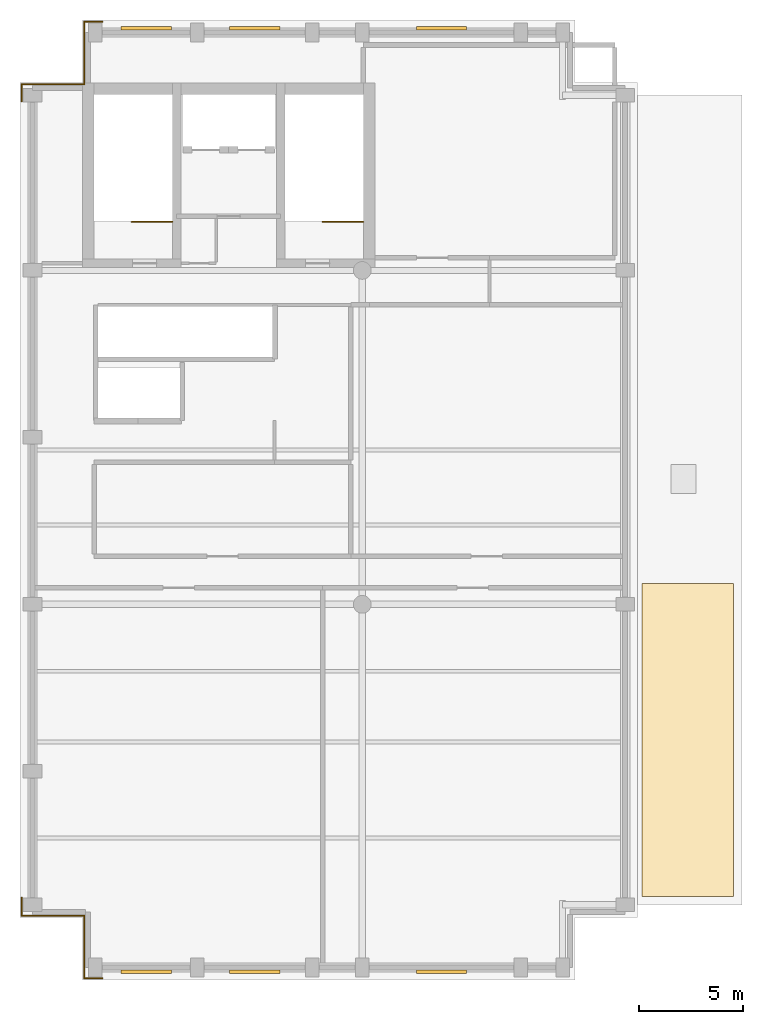
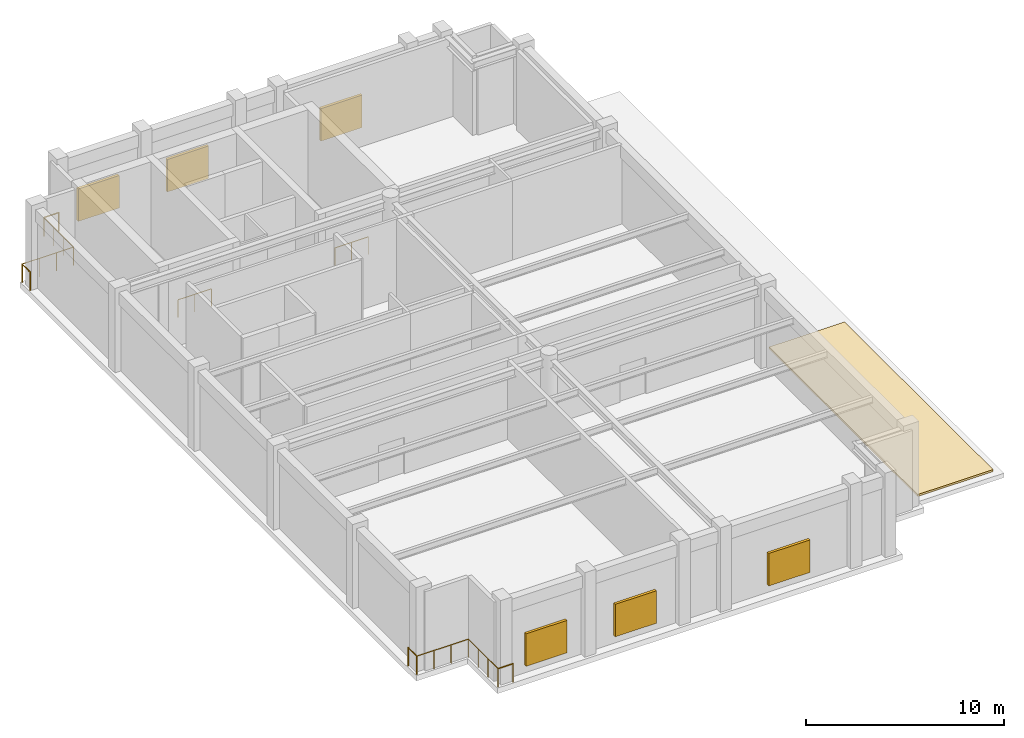
# One storey, part 4 of 4: 10 railings, 6 shading devices, 1 covering.
"""IFC4 building model written with IfcOpenShell, lengths in metres."""

from ifc_helpers import new_model, si_unit, direction, frame, origin, origin_2d, place, context, subcontext, project, spatial, polyline, rectangle, circle, outline, extrude, material, layer, layer_set, type_object, element, save


model = new_model("IFC4")

# Units and contexts
model_context = context("Model", 3, precision=1e-05, world=origin(), true_north=direction((0.0, 1.0)))
body_context = subcontext(model_context, "Body", "Model", "MODEL_VIEW")
ifc_project = project(units=[si_unit("LENGTHUNIT", "METRE"), si_unit("AREAUNIT", "SQUARE_METRE"), si_unit("VOLUMEUNIT", "CUBIC_METRE"), si_unit("PLANEANGLEUNIT", "RADIAN"), si_unit("MASSUNIT", "GRAM", prefix="KILO")], contexts=[model_context])

# Site, building, storey
site_placement = place(None, origin())
site = spatial("IfcSite", under=ifc_project, at=site_placement, CompositionType="ELEMENT")
building_placement = place(site_placement, origin())
building = spatial("IfcBuilding", under=site, at=building_placement, Name="Sulina Concourse Tower", CompositionType="ELEMENT")
storey_placement = place(building_placement, frame((0.0, 0.0, 317.800048828125)))
storey = spatial("IfcBuildingStorey", under=building, at=storey_placement, Name="L77", CompositionType="ELEMENT", Elevation=317.800048828125)

# Railings
ifc_material_1 = material(Name="Galvanised steel railing", Category="steel")
railing_type = type_object("IfcRailingType", Name="Core Stair Steel Guardrail 1150mm", PredefinedType="GUARDRAIL", material=ifc_material_1)
railing_1_placement = place(storey_placement, frame((0.080078125, 42.10009765625, 0.0)))
element("IfcRailing", 1, at=railing_1_placement, inside=storey, type_object=railing_type, Name="L77 perimeter edge safety guardrail NW1", PredefinedType="GUARDRAIL", context=body_context, shape_type="SweptSolid", body=[
    extrude(circle(Radius=0.02392578125, at=origin_2d()), frame((0.0, 0.0, 1.1259765625), z_axis=(0.0, 1.0, 0.0), x_axis=(-1.0, 0.0, 0.0)), (0.0, 0.0, 1.0), 0.81982421875),
    extrude(circle(Radius=0.02099609375, at=origin_2d()), origin(), (0.0, 0.0, 1.0), 1.101806640625),
    extrude(circle(Radius=0.02099609375, at=origin_2d()), frame((0.0, 0.81982421875, 0.0)), (0.0, 0.0, 1.0), 1.101806640625),
])
railing_2_placement = place(storey_placement, frame((0.080078125, 42.919921875, 0.0)))
element("IfcRailing", 2, at=railing_2_placement, inside=storey, type_object=railing_type, Name="L77 perimeter edge safety guardrail NW2", PredefinedType="GUARDRAIL", context=body_context, shape_type="SweptSolid", body=[
    extrude(circle(Radius=0.02392578125, at=origin_2d()), frame((0.0, 0.0, 1.1259765625), z_axis=(1.0, 0.0, 0.0), x_axis=(0.0, 1.0, 0.0)), (0.0, 0.0, 1.0), 3.0),
    extrude(circle(Radius=0.02099609375, at=origin_2d()), origin(), (0.0, 0.0, 1.0), 1.101806640625),
    extrude(circle(Radius=0.02099609375, at=origin_2d()), frame((1.0, 0.0, 0.0)), (0.0, 0.0, 1.0), 1.101806640625),
    extrude(circle(Radius=0.02099609375, at=origin_2d()), frame((2.0, 0.0, 0.0)), (0.0, 0.0, 1.0), 1.101806640625),
    extrude(circle(Radius=0.02099609375, at=origin_2d()), frame((3.0, 0.0, 0.0)), (0.0, 0.0, 1.0), 1.101806640625),
])
railing_3_placement = place(storey_placement, frame((3.080078125, 42.919921875, 0.0)))
element("IfcRailing", 3, at=railing_3_placement, inside=storey, type_object=railing_type, Name="L77 perimeter edge safety guardrail NW3", PredefinedType="GUARDRAIL", context=body_context, shape_type="SweptSolid", body=[
    extrude(circle(Radius=0.02392578125, at=origin_2d()), frame((0.0, 0.0, 1.1259765625), z_axis=(0.0, 1.0, 0.0), x_axis=(-1.0, 0.0, 0.0)), (0.0, 0.0, 1.0), 3.0),
    extrude(circle(Radius=0.02099609375, at=origin_2d()), origin(), (0.0, 0.0, 1.0), 1.101806640625),
    extrude(circle(Radius=0.02099609375, at=origin_2d()), frame((0.0, 1.0, 0.0)), (0.0, 0.0, 1.0), 1.101806640625),
    extrude(circle(Radius=0.02099609375, at=origin_2d()), frame((0.0, 2.0, 0.0)), (0.0, 0.0, 1.0), 1.101806640625),
    extrude(circle(Radius=0.02099609375, at=origin_2d()), frame((0.0, 3.0, 0.0)), (0.0, 0.0, 1.0), 1.101806640625),
])
railing_4_placement = place(storey_placement, frame((3.080078125, 45.919921875, 0.0)))
element("IfcRailing", 4, at=railing_4_placement, inside=storey, type_object=railing_type, Name="L77 perimeter edge safety guardrail NW4", PredefinedType="GUARDRAIL", context=body_context, shape_type="SweptSolid", body=[
    extrude(circle(Radius=0.02392578125, at=origin_2d()), frame((0.0, 0.0, 1.1259765625), z_axis=(1.0, 0.0, 0.0), x_axis=(0.0, 1.0, 0.0)), (0.0, 0.0, 1.0), 0.869873046875),
    extrude(circle(Radius=0.02099609375, at=origin_2d()), origin(), (0.0, 0.0, 1.0), 1.101806640625),
    extrude(circle(Radius=0.02099609375, at=origin_2d()), frame((0.869873046875, 0.0, 0.0)), (0.0, 0.0, 1.0), 1.101806640625),
])
railing_5_placement = place(storey_placement, frame((3.949951171875, 0.080078125, 0.0)))
element("IfcRailing", 5, at=railing_5_placement, inside=storey, type_object=railing_type, Name="L77 perimeter edge safety guardrail SW1", PredefinedType="GUARDRAIL", context=body_context, shape_type="SweptSolid", body=[
    extrude(circle(Radius=0.02392578125, at=origin_2d()), frame((0.0, 0.0, 1.1259765625), z_axis=(-1.0, 0.0, 0.0), x_axis=(0.0, -1.0, 0.0)), (0.0, 0.0, 1.0), 0.869873046875),
    extrude(circle(Radius=0.02099609375, at=origin_2d()), origin(), (0.0, 0.0, 1.0), 1.101806640625),
    extrude(circle(Radius=0.02099609375, at=origin_2d()), frame((-0.869873046875, 0.0, 0.0)), (0.0, 0.0, 1.0), 1.101806640625),
])
railing_6_placement = place(storey_placement, frame((3.080078125, 0.080078125, 0.0)))
element("IfcRailing", 6, at=railing_6_placement, inside=storey, type_object=railing_type, Name="L77 perimeter edge safety guardrail SW2", PredefinedType="GUARDRAIL", context=body_context, shape_type="SweptSolid", body=[
    extrude(circle(Radius=0.02392578125, at=origin_2d()), frame((0.0, 0.0, 1.1259765625), z_axis=(0.0, 1.0, 0.0), x_axis=(-1.0, 0.0, 0.0)), (0.0, 0.0, 1.0), 3.0),
    extrude(circle(Radius=0.02099609375, at=origin_2d()), origin(), (0.0, 0.0, 1.0), 1.101806640625),
    extrude(circle(Radius=0.02099609375, at=origin_2d()), frame((0.0, 1.0, 0.0)), (0.0, 0.0, 1.0), 1.101806640625),
    extrude(circle(Radius=0.02099609375, at=origin_2d()), frame((0.0, 2.0, 0.0)), (0.0, 0.0, 1.0), 1.101806640625),
    extrude(circle(Radius=0.02099609375, at=origin_2d()), frame((0.0, 3.0, 0.0)), (0.0, 0.0, 1.0), 1.101806640625),
])
railing_7_placement = place(storey_placement, frame((3.080078125, 3.080078125, 0.0)))
element("IfcRailing", 7, at=railing_7_placement, inside=storey, type_object=railing_type, Name="L77 perimeter edge safety guardrail SW3", PredefinedType="GUARDRAIL", context=body_context, shape_type="SweptSolid", body=[
    extrude(circle(Radius=0.02392578125, at=origin_2d()), frame((0.0, 0.0, 1.1259765625), z_axis=(-1.0, 0.0, 0.0), x_axis=(0.0, -1.0, 0.0)), (0.0, 0.0, 1.0), 3.0),
    extrude(circle(Radius=0.02099609375, at=origin_2d()), origin(), (0.0, 0.0, 1.0), 1.101806640625),
    extrude(circle(Radius=0.02099609375, at=origin_2d()), frame((-1.0, 0.0, 0.0)), (0.0, 0.0, 1.0), 1.101806640625),
    extrude(circle(Radius=0.02099609375, at=origin_2d()), frame((-2.0, 0.0, 0.0)), (0.0, 0.0, 1.0), 1.101806640625),
    extrude(circle(Radius=0.02099609375, at=origin_2d()), frame((-3.0, 0.0, 0.0)), (0.0, 0.0, 1.0), 1.101806640625),
])
railing_8_placement = place(storey_placement, frame((0.080078125, 3.080078125, 0.0)))
element("IfcRailing", 8, at=railing_8_placement, inside=storey, type_object=railing_type, Name="L77 perimeter edge safety guardrail SW4", PredefinedType="GUARDRAIL", context=body_context, shape_type="SweptSolid", body=[
    extrude(circle(Radius=0.02392578125, at=origin_2d()), frame((0.0, 0.0, 1.1259765625), z_axis=(0.0, 1.0, 0.0), x_axis=(-1.0, 0.0, 0.0)), (0.0, 0.0, 1.0), 0.869873046875),
    extrude(circle(Radius=0.02099609375, at=origin_2d()), origin(), (0.0, 0.0, 1.0), 1.101806640625),
    extrude(circle(Radius=0.02099609375, at=origin_2d()), frame((0.0, 0.869873046875, 0.0)), (0.0, 0.0, 1.0), 1.101806640625),
])
for number, where, name in (
    (9, (7.304931640625, 36.324951171875, 0.0), "L77 ST-1 top well guard 1"),
    (10, (16.445068359375, 36.324951171875, 0.0), "L77 ST-2 top well guard 1"),
):
    element("IfcRailing", number, at=place(storey_placement, frame(where)), inside=storey, type_object=railing_type, Name=name, PredefinedType="GUARDRAIL", context=body_context, shape_type="SweptSolid", body=[
        extrude(circle(Radius=0.02392578125, at=origin_2d()), frame((0.0, 0.0, 1.076171875), z_axis=(-1.0, 0.0, 0.0), x_axis=(0.0, -1.0, 0.0)), (0.0, 0.0, 1.0), 1.949951171875),
        extrude(circle(Radius=0.02099609375, at=origin_2d()), origin(), (0.0, 0.0, 1.0), 1.052001953125),
        extrude(circle(Radius=0.02099609375, at=origin_2d()), frame((-0.97509765625, 0.0, 0.0)), (0.0, 0.0, 1.0), 1.052001953125),
        extrude(circle(Radius=0.02099609375, at=origin_2d()), frame((-1.949951171875, 0.0, 0.0)), (0.0, 0.0, 1.0), 1.052001953125),
    ])

# Covering
ifc_material_2 = material(Name="EPDM waterproof roofing membrane")
ifc_layer = layer(ifc_material_2, 0.1201171875)
ifc_layer_set = layer_set([ifc_layer], Name="EPDM waterproof roofing membrane")
covering_type = type_object("IfcCoveringType", Name="Insulated EPDM Waterproof Roof Membrane 120mm", PredefinedType="ROOFING", material=ifc_layer_set)
covering_placement = place(storey_placement, origin())
element("IfcCovering", 11, at=covering_placement, inside=storey, type_object=covering_type, Name="L77 step roof membrane", PredefinedType="ROOFING", context=body_context, shape_type="SweptSolid", body=[
    extrude(outline(polyline([(29.800048828125, 4.0), (34.199951171875, 4.0), (34.199951171875, 19.0), (29.800048828125, 19.0), (29.800048828125, 4.0)])), origin(), (0.0, 0.0, 1.0), 0.119873046875),
])

# Shading devices
ifc_material_3 = material(Name="Anodised bronze aluminium", Category="aluminium")
shading_device_type = type_object("IfcShadingDeviceType", Name="Plant Room Acoustic Weather Louvre Bank", PredefinedType="JALOUSIE", material=ifc_material_3)
for number, where, z_axis, x_axis, name in (
    (12, (6.050048828125, 0.39990234375, 0.5), (0.0, 0.0, 1.0), (1.0, 0.0, 0.0), "L77 acoustic weather louvre S1"),
    (13, (11.25, 0.39990234375, 0.5), (0.0, 0.0, 1.0), (1.0, 0.0, 0.0), "L77 acoustic weather louvre S2"),
    (14, (20.199951171875, 0.39990234375, 0.5), (0.0, 0.0, 1.0), (1.0, 0.0, 0.0), "L77 acoustic weather louvre S4"),
    (15, (6.050048828125, 45.60009765625, 0.5), (0.0, 0.0, 1.0), (1.0, 0.0, 0.0), "L77 acoustic weather louvre N1"),
    (16, (11.25, 45.60009765625, 0.5), (0.0, 0.0, 1.0), (1.0, 0.0, 0.0), "L77 acoustic weather louvre N2"),
    (17, (20.199951171875, 45.60009765625, 0.5), (0.0, 0.0, 1.0), (1.0, 0.0, 0.0), "L77 acoustic weather louvre N4"),
):
    element("IfcShadingDevice", number, at=place(storey_placement, frame(where, z_axis=z_axis, x_axis=x_axis)), inside=storey, type_object=shading_device_type, Name=name, PredefinedType="JALOUSIE", context=body_context, shape_type="SweptSolid", body=[
        extrude(rectangle(XDim=2.39990234375, YDim=0.159912109375, at=origin_2d()), origin(), (0.0, 0.0, 1.0), 2.0),
    ])

save(model, "model.ifc")
